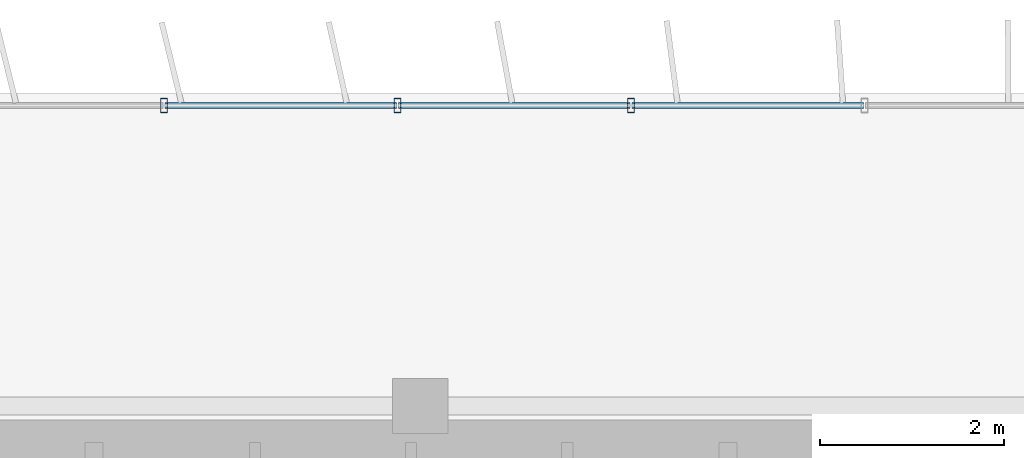
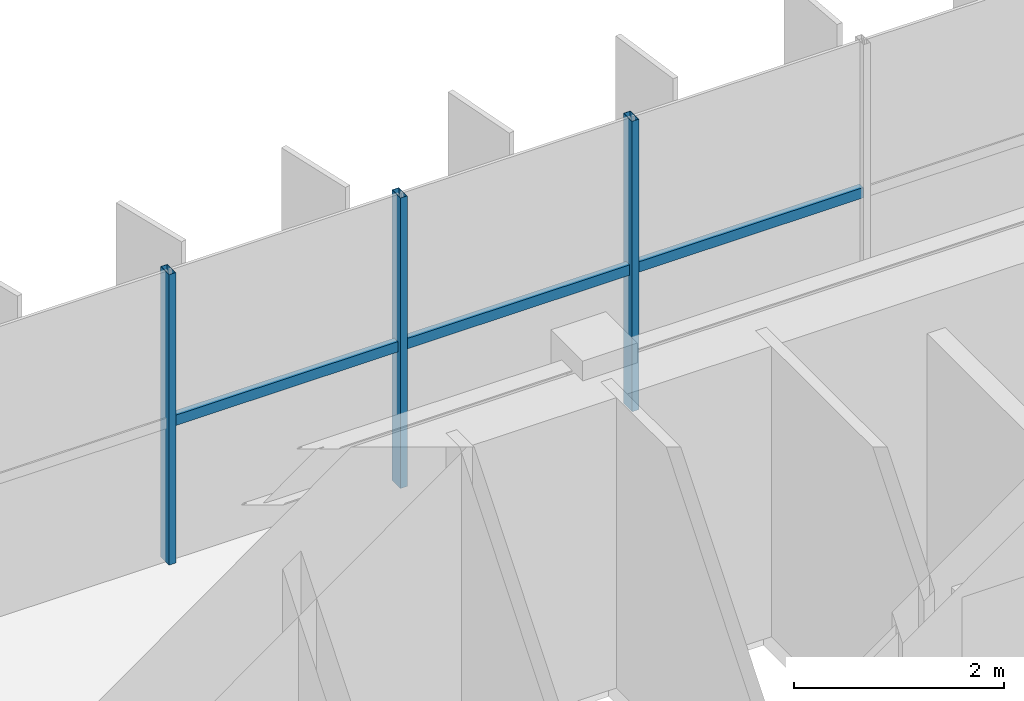
# One storey, part 11 of 23: 6 members, 1 element without a shape of its own.
"""IFC4 building model written with IfcOpenShell, lengths in metres."""

from ifc_helpers import new_model, si_unit, direction, frame, origin, origin_2d, place, context, subcontext, project, spatial, hollow_rectangle, extrude, source, transform, mapped, material, material_profile, profile_set, type_object, element, aggregate, save


model = new_model("IFC4")

# Units and contexts
model_context = context("Model", 3, precision=1e-05, world=origin(), true_north=direction((0.0, 1.0)))
body_context = subcontext(model_context, "Body", "Model", "MODEL_VIEW")
ifc_project = project(units=[si_unit("LENGTHUNIT", "METRE"), si_unit("AREAUNIT", "SQUARE_METRE"), si_unit("VOLUMEUNIT", "CUBIC_METRE"), si_unit("PLANEANGLEUNIT", "RADIAN"), si_unit("MASSUNIT", "GRAM", prefix="KILO")], contexts=[model_context])

# Site, building, storey
site_placement = place(None, origin())
site = spatial("IfcSite", under=ifc_project, at=site_placement, CompositionType="ELEMENT")
building_placement = place(site_placement, origin())
building = spatial("IfcBuilding", under=site, at=building_placement, Name="Trelvane Seafront Commons", CompositionType="ELEMENT")
storey_placement = place(building_placement, frame((0.0, 0.0, 259.5)))
storey = spatial("IfcBuildingStorey", under=building, at=storey_placement, Name="L67", CompositionType="ELEMENT", Elevation=259.5)

# Curtain wall, members
ifc_material = material(Name="Anodised pale-silver aluminium", Category="aluminium")
curtain_wall_type = type_object("IfcCurtainWallType", Name="ARCH-CW5-UPTOWER", PredefinedType="NOTDEFINED", material=ifc_material)
curtain_wall_placement = place(storey_placement, origin())
curtain_wall = element("IfcCurtainWall", 1, at=curtain_wall_placement, inside=storey, type_object=curtain_wall_type, Name="CW-L67-0111", PredefinedType="NOTDEFINED")
ifc_material_profile_1 = material_profile(ifc_material, hollow_rectangle(XDim=0.070068359375, YDim=0.1201171875, WallThickness=0.00390625, at=origin_2d()), Name="TRAN-70x120x4")
ifc_profile_set_1 = profile_set([ifc_material_profile_1], Name="Anodised pale-silver aluminium")
member_type_1 = type_object("IfcMemberType", Name="ARCH-CW-TRAN-120", PredefinedType="USERDEFINED", material=ifc_profile_set_1)
shared_shape_1 = source(origin(), body_context, "Body", "SweptSolid", [
    extrude(hollow_rectangle(XDim=0.070068359375, YDim=0.1201171875, WallThickness=0.00390625, at=origin_2d()), origin(), (0.0, 0.0, 1.0), 2.51708984375),
])
member_1_placement = place(storey_placement, frame((43.56494140625, 48.3701171875, 1.617919921875), z_axis=(1.0, 0.0, 0.0), x_axis=(0.0, 1.0, 0.0)))
member_1 = element("IfcMember", 2, at=member_1_placement, type_object=member_type_1, Name="CW-L67-0111-T11", ObjectType="TRANSOM", PredefinedType="USERDEFINED", context=body_context, shape_type="MappedRepresentation", body=[
    mapped(shared_shape_1, transform((0.0, 0.0, 0.0), x_axis=(1.0, 0.0, 0.0), y_axis=(0.0, 1.0, 0.0), z_axis=(0.0, 0.0, 1.0), scale=1.0)),
])
member_2_placement = place(storey_placement, frame((46.106201171875, 48.3701171875, 1.617919921875), z_axis=(1.0, 0.0, 0.0), x_axis=(0.0, 1.0, 0.0)))
member_2 = element("IfcMember", 3, at=member_2_placement, type_object=member_type_1, Name="CW-L67-0111-T12", ObjectType="TRANSOM", PredefinedType="USERDEFINED", context=body_context, shape_type="MappedRepresentation", body=[
    mapped(shared_shape_1, transform((0.0, 0.0, 0.0), x_axis=(1.0, 0.0, 0.0), y_axis=(0.0, 1.0, 0.0), z_axis=(0.0, 0.0, 1.0), scale=1.0)),
])
shared_shape_2 = source(origin(), body_context, "Body", "SweptSolid", [
    extrude(hollow_rectangle(XDim=0.070068359375, YDim=0.1201171875, WallThickness=0.00390625, at=origin_2d()), origin(), (0.0, 0.0, 1.0), 2.517333984375),
])
member_3_placement = place(storey_placement, frame((41.023681640625, 48.3701171875, 1.617919921875), z_axis=(1.0, 0.0, 0.0), x_axis=(0.0, 1.0, 0.0)))
member_3 = element("IfcMember", 4, at=member_3_placement, type_object=member_type_1, Name="CW-L67-0111-T10", ObjectType="TRANSOM", PredefinedType="USERDEFINED", context=body_context, shape_type="MappedRepresentation", body=[
    mapped(shared_shape_2, transform((0.0, 0.0, 0.0), x_axis=(1.0, 0.0, 0.0), y_axis=(0.0, 1.0, 0.0), z_axis=(0.0, 0.0, 1.0), scale=1.0)),
])
ifc_material_profile_2 = material_profile(ifc_material, hollow_rectangle(XDim=0.074951171875, YDim=0.159912109375, WallThickness=0.00390625, at=origin_2d()), Name="MULL-75x160x4")
ifc_profile_set_2 = profile_set([ifc_material_profile_2], Name="Anodised pale-silver aluminium")
member_type_2 = type_object("IfcMemberType", Name="ARCH-CW-MULL-160", PredefinedType="MULLION", material=ifc_profile_set_2)
shared_shape_3 = source(origin(), body_context, "Body", "SweptSolid", [
    extrude(hollow_rectangle(XDim=0.074951171875, YDim=0.159912109375, WallThickness=0.00390625, at=origin_2d()), origin(), (0.0, 0.0, 1.0), 3.3701171875),
])
member_4_placement = place(storey_placement, frame((41.01171875, 48.3701171875, 0.0), z_axis=(0.0, 0.0, 1.0), x_axis=(1.0, 0.0, 0.0)))
member_4 = element("IfcMember", 5, at=member_4_placement, type_object=member_type_2, Name="CW-L67-0111-M10", PredefinedType="MULLION", context=body_context, shape_type="MappedRepresentation", body=[
    mapped(shared_shape_3, transform((0.0, 0.0, 0.0), x_axis=(1.0, 0.0, 0.0), y_axis=(0.0, 1.0, 0.0), z_axis=(0.0, 0.0, 1.0), scale=1.0)),
])
member_5_placement = place(storey_placement, frame((43.552978515625, 48.3701171875, 0.0), z_axis=(0.0, 0.0, 1.0), x_axis=(1.0, 0.0, 0.0)))
member_5 = element("IfcMember", 6, at=member_5_placement, type_object=member_type_2, Name="CW-L67-0111-M11", PredefinedType="MULLION", context=body_context, shape_type="MappedRepresentation", body=[
    mapped(shared_shape_3, transform((0.0, 0.0, 0.0), x_axis=(1.0, 0.0, 0.0), y_axis=(0.0, 1.0, 0.0), z_axis=(0.0, 0.0, 1.0), scale=1.0)),
])
member_6_placement = place(storey_placement, frame((46.093994140625, 48.3701171875, 0.0), z_axis=(0.0, 0.0, 1.0), x_axis=(1.0, 0.0, 0.0)))
member_6 = element("IfcMember", 7, at=member_6_placement, type_object=member_type_2, Name="CW-L67-0111-M12", PredefinedType="MULLION", context=body_context, shape_type="MappedRepresentation", body=[
    mapped(shared_shape_3, transform((0.0, 0.0, 0.0), x_axis=(1.0, 0.0, 0.0), y_axis=(0.0, 1.0, 0.0), z_axis=(0.0, 0.0, 1.0), scale=1.0)),
])
aggregate(curtain_wall, [member_4, member_5, member_6, member_3, member_1, member_2])

save(model, "model.ifc")
